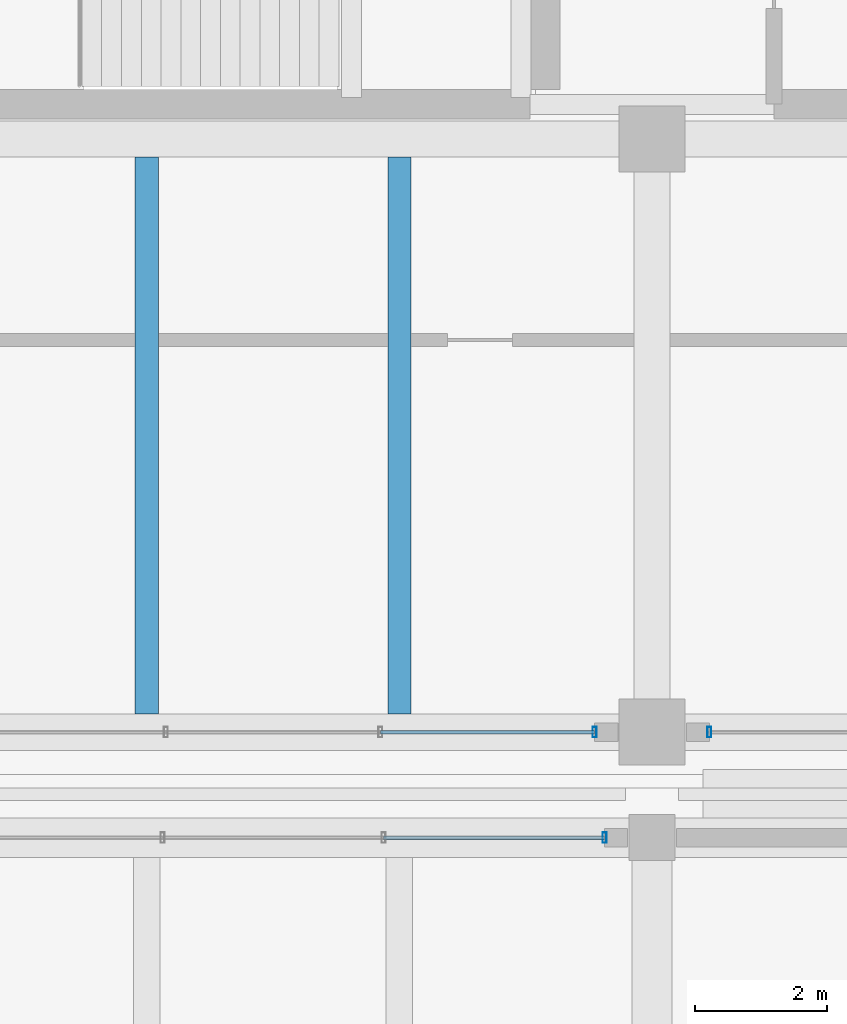
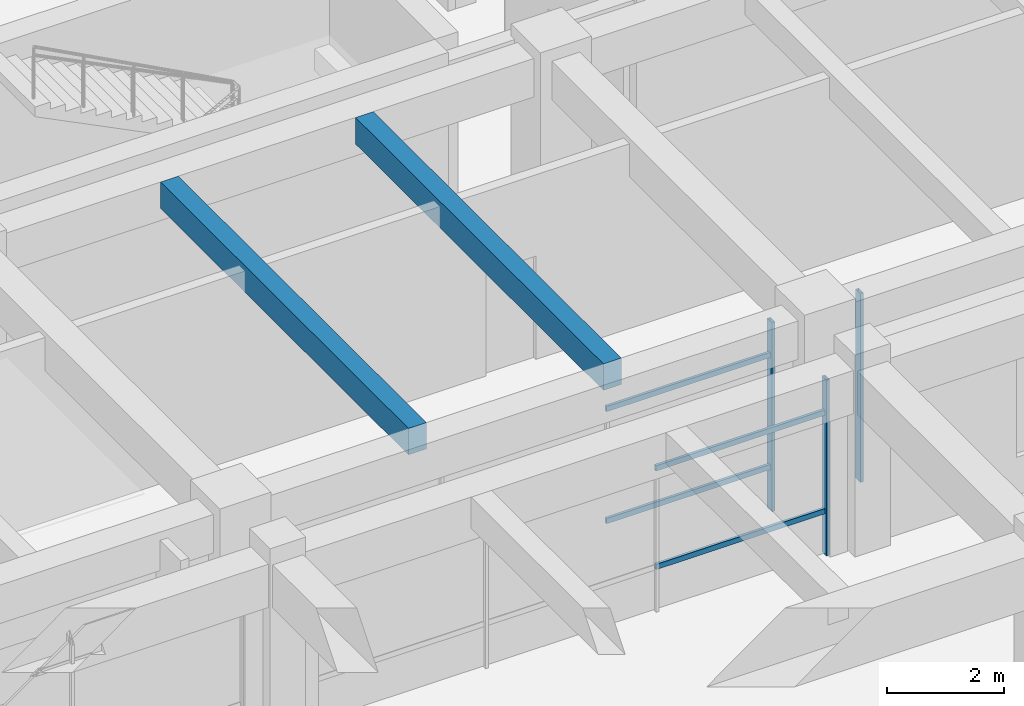
# One storey, part 54 of 98: 7 members, 2 beams, 3 elements without a shape of their own.
"""IFC4 building model written with IfcOpenShell, lengths in metres."""

import ifcopenshell
import ifcopenshell.guid

model = None  # the IFC model being written
_history = None  # IfcOwnerHistory: only IFC2X3 demands one
_inside = {}  # id of a spatial element -> (the spatial element, [elements in it])
_under = {}  # id of a project, library or spatial element -> (it, [spatial elements below it])
_declared = {}  # id of a project -> (the project, [libraries it declares])
_typed = {}  # id of a type object -> (the type object, [elements of that type])
_made_of = {}  # id of a material, layer set ... -> (it, [elements and type objects made of it])


def new_model(schema):
    """Start an empty IFC model of exactly this schema.

    Asked for "IFC4X3", IfcOpenShell would pick the latest addendum, in which some entities
    have other attributes; the version numbers below select the first issue.
    IFC2X3 requires an IfcOwnerHistory on every rooted entity: one is made here for all.
    """
    global model, _history
    if schema == "IFC4X3":
        model = ifcopenshell.file(schema_version=(4, 3, 0, 0))
    else:
        model = ifcopenshell.file(schema=schema)
    _inside.clear()
    _under.clear()
    _declared.clear()
    _typed.clear()
    _made_of.clear()
    _history = None
    if model.schema == "IFC2X3":
        org = make("IfcOrganization", Name="unknown")
        user = make(
            "IfcPersonAndOrganization",
            ThePerson=make("IfcPerson", FamilyName="unknown"),
            TheOrganization=org,
        )
        app = make(
            "IfcApplication",
            ApplicationDeveloper=org,
            Version="unknown",
            ApplicationFullName="unknown",
            ApplicationIdentifier="unknown",
        )
        _history = make(
            "IfcOwnerHistory",
            OwningUser=user,
            OwningApplication=app,
            ChangeAction="ADDED",
            CreationDate=0,
        )
    return model


def make(cls, **values):
    """One entity of the class cls with the attributes given. An attribute that is None is left unset."""
    return model.create_entity(
        cls, **{name: value for name, value in values.items() if value is not None}
    )


def rooted(cls, **values):
    """An entity with a GlobalId (a new one), such as an element, a storey or a relation."""
    return make(cls, GlobalId=ifcopenshell.guid.new(), OwnerHistory=_history, **values)


def si_unit(unit_type, name, prefix=None):
    """IfcSIUnit, for example si_unit("LENGTHUNIT", "METRE", prefix="MILLI")."""
    return make("IfcSIUnit", UnitType=unit_type, Prefix=prefix, Name=name)


def assignment(units):
    """IfcUnitAssignment: the units of a project."""
    return None if units is None else make("IfcUnitAssignment", Units=units)


def point(xyz):
    """IfcCartesianPoint."""
    return None if xyz is None else make("IfcCartesianPoint", Coordinates=xyz)


def direction(xyz):
    """IfcDirection."""
    return None if xyz is None else make("IfcDirection", DirectionRatios=xyz)


def frame(location, z_axis=None, x_axis=None):
    """IfcAxis2Placement3D, a coordinate frame: its origin and axes. An axis left out is left unset."""
    return make(
        "IfcAxis2Placement3D",
        Location=point(location),
        Axis=direction(z_axis),
        RefDirection=direction(x_axis),
    )


def frame_2d(location, x_axis=None):
    """IfcAxis2Placement2D, a coordinate frame in the plane: its origin and x axis."""
    return make(
        "IfcAxis2Placement2D", Location=point(location), RefDirection=direction(x_axis)
    )


def origin():
    """The frame at (0, 0, 0) with its axes left unset."""
    return frame((0.0, 0.0, 0.0))


def origin_2d():
    """The frame at (0, 0) in the plane with its x axis left unset."""
    return frame_2d((0.0, 0.0))


def place(relative_to, where):
    """IfcLocalPlacement: puts the frame where relative to a parent placement (None: the world)."""
    return make(
        "IfcLocalPlacement", PlacementRelTo=relative_to, RelativePlacement=where
    )


def context(
    kind, dimensions, precision=None, world=None, true_north=None, identifier=None
):
    """IfcGeometricRepresentationContext, for example the 3D "Model" context."""
    return make(
        "IfcGeometricRepresentationContext",
        ContextIdentifier=identifier,
        ContextType=kind,
        CoordinateSpaceDimension=dimensions,
        Precision=precision,
        WorldCoordinateSystem=world,
        TrueNorth=true_north,
    )


def subcontext(parent, identifier, kind, view, scale=None):
    """IfcGeometricRepresentationSubContext, for example "Body" below "Model"."""
    return make(
        "IfcGeometricRepresentationSubContext",
        ContextIdentifier=identifier,
        ContextType=kind,
        ParentContext=parent,
        TargetScale=scale,
        TargetView=view,
    )


def project(units=None, contexts=None):
    """IfcProject with its units and contexts."""
    return rooted(
        "IfcProject",
        Name="project",
        RepresentationContexts=contexts,
        UnitsInContext=assignment(units),
    )


def spatial(cls, under=None, at=None, **own):
    """A site, building, storey or space (cls), placed at a placement, below another one or the project."""
    s = rooted(cls, ObjectPlacement=at, **own)
    if under is not None:
        _under.setdefault(under.id(), (under, []))[1].append(s)
    return s


def profile(cls, at=None, kind="AREA", **sizes):
    """A parametric profile (cls). Its sizes go by their IFC names, for example OverallWidth=200.0."""
    return make(cls, ProfileType=kind, Position=at, **sizes)


def rectangle(**sizes):
    """IfcRectangleProfileDef."""
    return profile("IfcRectangleProfileDef", **sizes)


def hollow_rectangle(**sizes):
    """IfcRectangleHollowProfileDef."""
    return profile("IfcRectangleHollowProfileDef", **sizes)


def extrude(swept, where, along, depth):
    """IfcExtrudedAreaSolid: the profile swept, set in the frame where, extruded along a direction by depth."""
    return make(
        "IfcExtrudedAreaSolid",
        SweptArea=swept,
        Position=where,
        ExtrudedDirection=direction(along),
        Depth=depth,
    )


def shape(context_of_items, identifier, shape_type, items):
    """IfcShapeRepresentation: the items that make up one representation, for example the "Body"."""
    return make(
        "IfcShapeRepresentation",
        ContextOfItems=context_of_items,
        RepresentationIdentifier=identifier,
        RepresentationType=shape_type,
        Items=items,
    )


def material(Name=None, Category=None):
    """IfcMaterial."""
    return make("IfcMaterial", Name=Name, Category=Category)


def material_profile(
    of_material, cross_section, Name=None, Category=None, Priority=None
):
    """IfcMaterialProfile: a cross section and its material."""
    return make(
        "IfcMaterialProfile",
        Name=Name,
        Material=of_material,
        Profile=cross_section,
        Priority=Priority,
        Category=Category,
    )


def profile_set(profiles, Name=None, composite=None):
    """IfcMaterialProfileSet."""
    return make(
        "IfcMaterialProfileSet",
        Name=Name,
        MaterialProfiles=profiles,
        CompositeProfile=composite,
    )


def made_of(thing, what):
    """Note that an element or type object is made of a material, layer set ...; save() writes the relation."""
    if what is not None:
        _made_of.setdefault(what.id(), (what, []))[1].append(thing)
    return thing


def type_object(cls, material=None, **own):
    """A type object (cls), such as IfcWallType, which elements share."""
    return made_of(rooted(cls, **own), material)


def element(
    cls,
    number,
    at=None,
    inside=None,
    cuts=None,
    type_object=None,
    material=None,
    context=None,
    identifier="Body",
    shape_type=None,
    held_by="IfcProductDefinitionShape",
    body=None,
    shapes=None,
    **own,
):
    """One element of the class cls, such as IfcWall. Its Tag is "e" and its number.

    at: its placement. inside: the storey or other place that contains it. cuts: it is an
    opening in that element (IfcRelVoidsElement). A single representation is given by context,
    identifier, shape_type and body (its items); several are given by shapes. held_by: the class
    of the entity that holds the representations. save() writes the other relations.
    """
    e = rooted(cls, Tag="e%d" % number, ObjectPlacement=at, **own)
    if body is not None:
        shapes = [shape(context, identifier, shape_type, body)]
    if shapes is not None:
        e.Representation = make(held_by, Representations=shapes)
    if inside is not None:
        _inside.setdefault(inside.id(), (inside, []))[1].append(e)
    if cuts is not None:
        rooted(
            "IfcRelVoidsElement", RelatingBuildingElement=cuts, RelatedOpeningElement=e
        )
    if type_object is not None:
        _typed.setdefault(type_object.id(), (type_object, []))[1].append(e)
    return made_of(e, material)


def aggregate(whole, parts):
    """IfcRelAggregates: a whole, such as a stair, and the parts it consists of."""
    return rooted("IfcRelAggregates", RelatingObject=whole, RelatedObjects=parts)


def save(model, path):
    """Write the relations noted so far, then the file.

    IfcRelAggregates (storeys below a building ...), IfcRelContainedInSpatialStructure (elements
    in a storey), IfcRelDefinesByType, IfcRelAssociatesMaterial and IfcRelDeclares: one each for
    every whole, place, type object, material and project.
    """
    for whole, parts in _under.values():
        aggregate(whole, parts)
    for where, things in _inside.values():
        rooted(
            "IfcRelContainedInSpatialStructure",
            RelatedElements=things,
            RelatingStructure=where,
        )
    for kind, things in _typed.values():
        rooted("IfcRelDefinesByType", RelatedObjects=things, RelatingType=kind)
    for what, things in _made_of.values():
        rooted("IfcRelAssociatesMaterial", RelatedObjects=things, RelatingMaterial=what)
    for by, libraries in _declared.values():
        rooted("IfcRelDeclares", RelatingContext=by, RelatedDefinitions=libraries)
    model.write(path)


model = new_model("IFC4")

# Units and contexts
model_context = context("Model", 3, precision=1e-05, world=origin(), true_north=direction((0.0, 1.0)))
body_context = subcontext(model_context, "Body", "Model", "MODEL_VIEW")
ifc_project = project(units=[si_unit("LENGTHUNIT", "METRE"), si_unit("AREAUNIT", "SQUARE_METRE"), si_unit("VOLUMEUNIT", "CUBIC_METRE"), si_unit("PLANEANGLEUNIT", "RADIAN"), si_unit("MASSUNIT", "GRAM", prefix="KILO")], contexts=[model_context])

# Site, building, storey
site_placement = place(None, origin())
site = spatial("IfcSite", under=ifc_project, at=site_placement, CompositionType="ELEMENT")
building_placement = place(site_placement, origin())
building = spatial("IfcBuilding", under=site, at=building_placement, Name="Ologun Quay Terminus", CompositionType="ELEMENT")
storey_placement = place(building_placement, frame((0.0, 0.0, 4.199951171875)))
storey = spatial("IfcBuildingStorey", under=building, at=storey_placement, Name="L01", CompositionType="ELEMENT", Elevation=4.199951171875)

# Curtain wall, member
ifc_material_1 = material(Name="Aluminium 6063-T6", Category="aluminium")
curtain_wall_type_1 = type_object("IfcCurtainWallType", Name="Forecourt Mezzanine Curtain Wall 10700x3850", PredefinedType="USERDEFINED", material=ifc_material_1)
curtain_wall_1_placement = place(storey_placement, origin())
curtain_wall_1 = element("IfcCurtainWall", 1, at=curtain_wall_1_placement, inside=storey, type_object=curtain_wall_type_1, Name="CW-04 Curtain Wall CW-L01-091", ObjectType="UNITISED CURTAIN WALL", PredefinedType="USERDEFINED")
ifc_material_2 = material(Name="Aluminium 6063-T6", Category="aluminium")
ifc_material_profile_1 = material_profile(ifc_material_2, hollow_rectangle(XDim=0.06005859375, YDim=0.159912109375, WallThickness=0.00390625, at=origin_2d()), Name="ALU 160x60x4")
ifc_profile_set_1 = profile_set([ifc_material_profile_1], Name="Aluminium 6063-T6")
member_type_1 = type_object("IfcMemberType", Name="Courtyard Screen Mullion 160x65", PredefinedType="MULLION", material=ifc_profile_set_1)
member_1_placement = place(storey_placement, frame((137.280029296875, 84.199951171875, 0.0), z_axis=(0.0, 0.0, 1.0), x_axis=(1.0, 0.0, 0.0)))
member_1 = element("IfcMember", 2, at=member_1_placement, type_object=member_type_1, Name="CW-L01-091 Mullion 4", PredefinedType="MULLION", context=body_context, shape_type="SweptSolid", body=[
    extrude(hollow_rectangle(XDim=0.06005859375, YDim=0.159912109375, WallThickness=0.00390625, at=origin_2d()), origin(), (0.0, 0.0, 1.0), 3.650146484375),
])

ifc_material_3 = material(Name="Aluminium 6063-T6", Category="aluminium")
curtain_wall_type_2 = type_object("IfcCurtainWallType", Name="Waterfront Pavilion Harbour Curtain Wall L01 10500x3850", PredefinedType="USERDEFINED", material=ifc_material_3)
curtain_wall_2_placement = place(storey_placement, origin())
curtain_wall_2 = element("IfcCurtainWall", 3, at=curtain_wall_2_placement, inside=storey, type_object=curtain_wall_type_2, Name="CW-23 Curtain Wall CW-L01-124", ObjectType="UNITISED CURTAIN WALL", PredefinedType="USERDEFINED")
member_2_placement = place(storey_placement, frame((137.1298828125, 85.800048828125, 0.0), z_axis=(0.0, 0.0, 1.0), x_axis=(1.0, 0.0, 0.0)))
member_2 = element("IfcMember", 4, at=member_2_placement, type_object=member_type_1, Name="CW-L01-124 Mullion 4", PredefinedType="MULLION", context=body_context, shape_type="SweptSolid", body=[
    extrude(hollow_rectangle(XDim=0.06005859375, YDim=0.159912109375, WallThickness=0.00390625, at=origin_2d()), origin(), (0.0, 0.0, 1.0), 3.929931640625),
])

curtain_wall_3_placement = place(storey_placement, origin())
curtain_wall_3 = element("IfcCurtainWall", 5, at=curtain_wall_3_placement, inside=storey, type_object=curtain_wall_type_2, Name="CW-23 Curtain Wall CW-L01-125", ObjectType="UNITISED CURTAIN WALL", PredefinedType="USERDEFINED")
member_3_placement = place(storey_placement, frame((138.8701171875, 85.800048828125, 0.0), z_axis=(0.0, 0.0, 1.0), x_axis=(1.0, 0.0, 0.0)))
member_3 = element("IfcMember", 6, at=member_3_placement, type_object=member_type_1, Name="CW-L01-125 Mullion 1", PredefinedType="MULLION", context=body_context, shape_type="SweptSolid", body=[
    extrude(hollow_rectangle(XDim=0.06005859375, YDim=0.159912109375, WallThickness=0.00390625, at=origin_2d()), origin(), (0.0, 0.0, 1.0), 3.929931640625),
])
aggregate(curtain_wall_3, [member_3])

# Member
ifc_material_4 = material(Name="Aluminium 6063-T6", Category="aluminium")
ifc_material_profile_2 = material_profile(ifc_material_4, hollow_rectangle(XDim=0.054931640625, YDim=0.110107421875, WallThickness=0.00390625, at=origin_2d()), Name="ALU 110x55x4")
ifc_profile_set_2 = profile_set([ifc_material_profile_2], Name="Aluminium 6063-T6")
member_type_2 = type_object("IfcMemberType", Name="Courtyard Screen Transom 110x55", PredefinedType="USERDEFINED", material=ifc_profile_set_2)
member_4_placement = place(storey_placement, frame((133.9267578125, 84.199951171875, 0.900146484375), z_axis=(1.0, 0.0, 0.0), x_axis=(0.0, 1.0, 0.0)))
member_4 = element("IfcMember", 7, at=member_4_placement, type_object=member_type_2, Name="CW-L01-091 Transom B3-1", ObjectType="TRANSOM", PredefinedType="USERDEFINED", context=body_context, shape_type="SweptSolid", body=[
    extrude(hollow_rectangle(XDim=0.054931640625, YDim=0.110107421875, WallThickness=0.00390625, at=origin_2d()), origin(), (0.0, 0.0, 1.0), 3.353271484375),
])

member_5_placement = place(storey_placement, frame((133.9267578125, 84.199951171875, 2.949951171875), z_axis=(1.0, 0.0, 0.0), x_axis=(0.0, 1.0, 0.0)))
member_5 = element("IfcMember", 8, at=member_5_placement, type_object=member_type_2, Name="CW-L01-091 Transom B3-2", ObjectType="TRANSOM", PredefinedType="USERDEFINED", context=body_context, shape_type="SweptSolid", body=[
    extrude(hollow_rectangle(XDim=0.054931640625, YDim=0.110107421875, WallThickness=0.00390625, at=origin_2d()), origin(), (0.0, 0.0, 1.0), 3.353271484375),
])

aggregate(curtain_wall_1, [member_1, member_4, member_5])

member_6_placement = place(storey_placement, frame((133.876708984375, 85.800048828125, 0.900146484375), z_axis=(1.0, 0.0, 0.0), x_axis=(0.0, 1.0, 0.0)))
member_6 = element("IfcMember", 9, at=member_6_placement, type_object=member_type_2, Name="CW-L01-124 Transom B3-1", ObjectType="TRANSOM", PredefinedType="USERDEFINED", context=body_context, shape_type="SweptSolid", body=[
    extrude(hollow_rectangle(XDim=0.054931640625, YDim=0.110107421875, WallThickness=0.00390625, at=origin_2d()), origin(), (0.0, 0.0, 1.0), 3.253173828125),
])

member_7_placement = place(storey_placement, frame((133.876708984375, 85.800048828125, 3.22998046875), z_axis=(1.0, 0.0, 0.0), x_axis=(0.0, 1.0, 0.0)))
member_7 = element("IfcMember", 10, at=member_7_placement, type_object=member_type_2, Name="CW-L01-124 Transom B3-2", ObjectType="TRANSOM", PredefinedType="USERDEFINED", context=body_context, shape_type="SweptSolid", body=[
    extrude(hollow_rectangle(XDim=0.054931640625, YDim=0.110107421875, WallThickness=0.00390625, at=origin_2d()), origin(), (0.0, 0.0, 1.0), 3.253173828125),
])

aggregate(curtain_wall_2, [member_2, member_6, member_7])

# Beams
ifc_material_5 = material(Name="Concrete C40/50", Category="concrete")
ifc_material_profile_3 = material_profile(ifc_material_5, rectangle(XDim=0.35009765625, YDim=0.550048828125, at=origin_2d()), Name="RC 350x550")
ifc_profile_set_3 = profile_set([ifc_material_profile_3], Name="Concrete C40/50")
beam_type = type_object("IfcBeamType", Name="Courtyard Wing Secondary Joist 350x550", PredefinedType="JOIST", material=ifc_profile_set_3)
for number, where, z_axis, x_axis, name in (
    (11, (130.333251953125, 86.074951171875, 3.675048828125), (0.0, 1.0, 0.0), (-1.0, 0.0, 0.0), "J2 Beam 12/G2 L01"),
    (12, (134.166748046875, 86.074951171875, 3.675048828125), (0.0, 1.0, 0.0), (-1.0, 0.0, 0.0), "J2 Beam 12/G2 L01"),
):
    element("IfcBeam", number, at=place(storey_placement, frame(where, z_axis=z_axis, x_axis=x_axis)), inside=storey, type_object=beam_type, Name=name, PredefinedType="JOIST", context=body_context, shape_type="SweptSolid", body=[
        extrude(rectangle(XDim=0.35009765625, YDim=0.550048828125, at=origin_2d()), origin(), (0.0, 0.0, 1.0), 8.449951171875),
    ])

save(model, "model.ifc")
